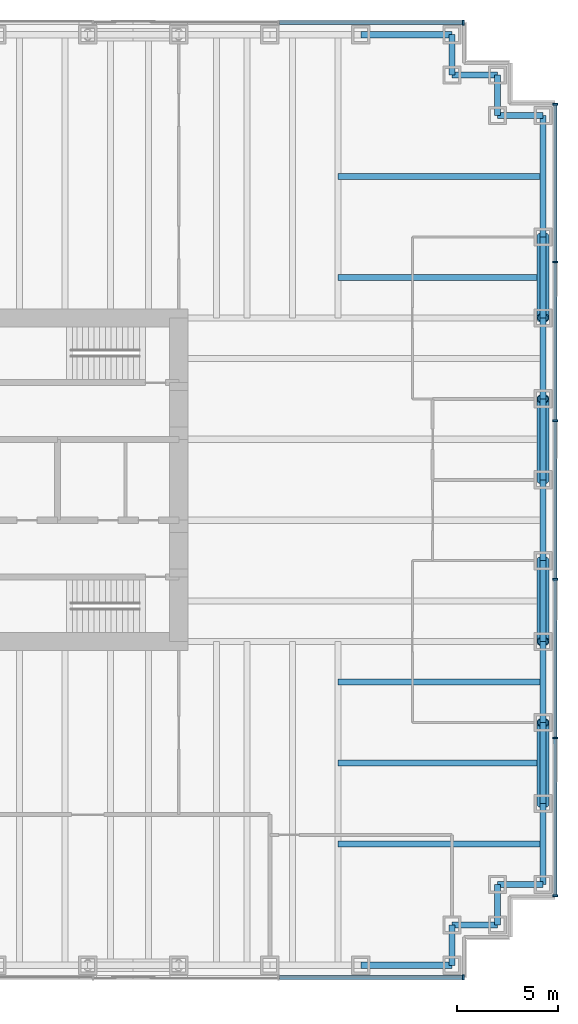
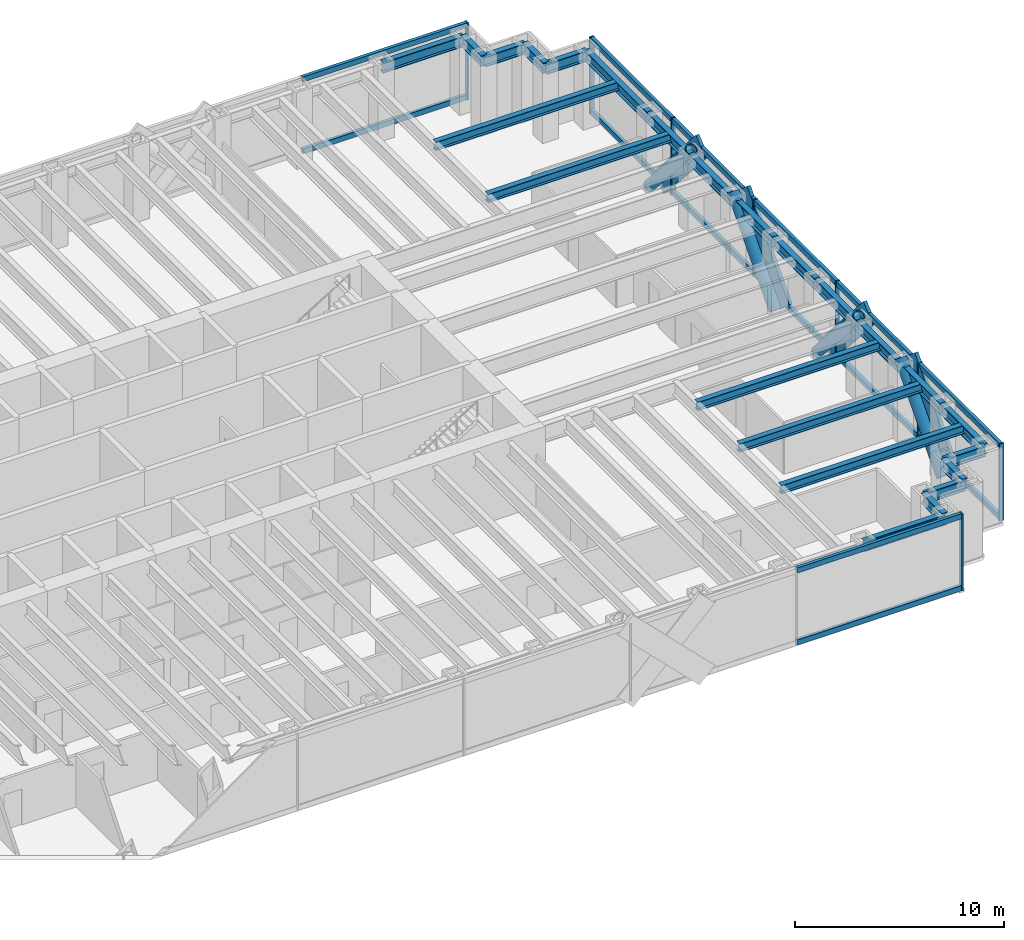
# One storey, part 7 of 13: 30 members, 24 beams, 3 elements without a shape of their own.
"""IFC4 building model written with IfcOpenShell, lengths in metres."""

from ifc_helpers import new_model, si_unit, direction, frame, origin, origin_2d, place, context, subcontext, project, spatial, rectangle, hollow_circle, i_section, extrude, material, material_profile, profile_set, type_object, element, aggregate, save


model = new_model("IFC4")

# Units and contexts
model_context = context("Model", 3, precision=1e-05, world=origin(), true_north=direction((0.0, 1.0)))
body_context = subcontext(model_context, "Body", "Model", "MODEL_VIEW")
ifc_project = project(units=[si_unit("LENGTHUNIT", "METRE"), si_unit("AREAUNIT", "SQUARE_METRE"), si_unit("VOLUMEUNIT", "CUBIC_METRE"), si_unit("PLANEANGLEUNIT", "RADIAN"), si_unit("MASSUNIT", "GRAM", prefix="KILO")], contexts=[model_context])

# Site, building, storey
site_placement = place(None, origin())
site = spatial("IfcSite", under=ifc_project, at=site_placement, CompositionType="ELEMENT")
building_placement = place(site_placement, origin())
building = spatial("IfcBuilding", under=site, at=building_placement, Name="Rheinbord Bourse Tower", CompositionType="ELEMENT")
storey_placement = place(building_placement, frame((0.0, 0.0, 45.5)))
storey = spatial("IfcBuildingStorey", under=building, at=storey_placement, Name="L09", CompositionType="ELEMENT", Elevation=45.5)

# Curtain wall, members
ifc_material_1 = material(Name="Dark glass and black aluminium", Category="aluminium")
curtain_wall_type = type_object("IfcCurtainWallType", Name="CW1 DARK GLASS CURTAIN WALL", PredefinedType="USERDEFINED", material=ifc_material_1)
curtain_wall_1_placement = place(storey_placement, origin())
curtain_wall_1 = element("IfcCurtainWall", 1, at=curtain_wall_1_placement, inside=storey, type_object=curtain_wall_type, Name="Curtain wall CW1 E L09", ObjectType="UNITISED CURTAIN WALL", PredefinedType="USERDEFINED")
ifc_material_2 = material(Name="Black anodised aluminium", Category="aluminium")
ifc_material_profile_1 = material_profile(ifc_material_2, rectangle(XDim=0.179931640625, YDim=1.2099609375, at=origin_2d()), Name="CW1 DIAGONAL MULLION 1210x180")
ifc_profile_set_1 = profile_set([ifc_material_profile_1], Name="Black anodised aluminium")
member_type_1 = type_object("IfcMemberType", Name="CW1 BLACK DIAGONAL MULLION", PredefinedType="USERDEFINED", material=ifc_profile_set_1)
member_1_placement = place(storey_placement, frame((72.60009765625, 36.0, 0.0), z_axis=(0.0, -0.66436383883, 0.747409318684), x_axis=(1.0, 0.0, 0.0)))
member_1 = element("IfcMember", 2, at=member_1_placement, type_object=member_type_1, Name="CW1 diagonal mullion a", ObjectType="DIAGONAL MULLION", PredefinedType="USERDEFINED", context=body_context, shape_type="SweptSolid", body=[
    extrude(rectangle(XDim=0.179931640625, YDim=1.2099609375, at=origin_2d()), origin(), (0.0, 0.0, 1.0), 6.020751953125),
])
member_2_placement = place(storey_placement, frame((72.60009765625, 8.0, 0.0), z_axis=(0.0, 0.66436383883, 0.747409318684), x_axis=(-1.0, 0.0, 0.0)))
member_2 = element("IfcMember", 3, at=member_2_placement, type_object=member_type_1, Name="CW1 diagonal mullion b", ObjectType="DIAGONAL MULLION", PredefinedType="USERDEFINED", context=body_context, shape_type="SweptSolid", body=[
    extrude(rectangle(XDim=0.179931640625, YDim=1.2099609375, at=origin_2d()), origin(), (0.0, 0.0, 1.0), 6.020751953125),
])
member_3_placement = place(storey_placement, frame((72.60009765625, 20.0, 0.0), z_axis=(0.0, -0.66436383883, 0.747409318684), x_axis=(1.0, 0.0, 0.0)))
member_3 = element("IfcMember", 4, at=member_3_placement, type_object=member_type_1, Name="CW1 diagonal mullion c", ObjectType="DIAGONAL MULLION", PredefinedType="USERDEFINED", context=body_context, shape_type="SweptSolid", body=[
    extrude(rectangle(XDim=0.179931640625, YDim=1.2099609375, at=origin_2d()), origin(), (0.0, 0.0, 1.0), 6.020751953125),
])
member_4_placement = place(storey_placement, frame((72.60009765625, 24.0, 0.0), z_axis=(0.0, 0.66436383883, 0.747409318684), x_axis=(-1.0, 0.0, 0.0)))
member_4 = element("IfcMember", 5, at=member_4_placement, type_object=member_type_1, Name="CW1 diagonal mullion d", ObjectType="DIAGONAL MULLION", PredefinedType="USERDEFINED", context=body_context, shape_type="SweptSolid", body=[
    extrude(rectangle(XDim=0.179931640625, YDim=1.2099609375, at=origin_2d()), origin(), (0.0, 0.0, 1.0), 6.020751953125),
])

# Curtain wall, member
curtain_wall_2_placement = place(storey_placement, origin())
curtain_wall_2 = element("IfcCurtainWall", 6, at=curtain_wall_2_placement, inside=storey, type_object=curtain_wall_type, Name="Curtain wall CW1 S L09", ObjectType="UNITISED CURTAIN WALL", PredefinedType="USERDEFINED")
ifc_material_3 = material(Name="Black anodised aluminium", Category="aluminium")
ifc_material_profile_2 = material_profile(ifc_material_3, rectangle(XDim=0.25, YDim=0.080078125, at=origin_2d()), Name="CW1 MULLION 80x250")
ifc_profile_set_2 = profile_set([ifc_material_profile_2], Name="Black anodised aluminium")
member_type_2 = type_object("IfcMemberType", Name="CW1 BLACK MULLION", PredefinedType="MULLION", material=ifc_profile_set_2)
member_5_placement = place(storey_placement, frame((68.06005859375, -0.60009765625, 0.0), z_axis=(0.0, 0.0, 1.0), x_axis=(0.0, 1.0, 0.0)))
member_5 = element("IfcMember", 7, at=member_5_placement, type_object=member_type_2, Name="CW1 mullion 8", PredefinedType="MULLION", context=body_context, shape_type="SweptSolid", body=[
    extrude(rectangle(XDim=0.25, YDim=0.080078125, at=origin_2d()), origin(), (0.0, 0.0, 1.0), 4.5),
])

# Member
member_6_placement = place(storey_placement, frame((72.60009765625, 3.43994140625, 0.0), z_axis=(0.0, 0.0, 1.0), x_axis=(-1.0, 0.0, 0.0)))
member_6 = element("IfcMember", 8, at=member_6_placement, type_object=member_type_2, Name="CW1 mullion 1", PredefinedType="MULLION", context=body_context, shape_type="SweptSolid", body=[
    extrude(rectangle(XDim=0.25, YDim=0.080078125, at=origin_2d()), origin(), (0.0, 0.0, 1.0), 4.5),
])

member_7_placement = place(storey_placement, frame((72.60009765625, 11.239990234375, 0.0), z_axis=(0.0, 0.0, 1.0), x_axis=(-1.0, 0.0, 0.0)))
member_7 = element("IfcMember", 9, at=member_7_placement, type_object=member_type_2, Name="CW1 mullion 2", PredefinedType="MULLION", context=body_context, shape_type="SweptSolid", body=[
    extrude(rectangle(XDim=0.25, YDim=0.080078125, at=origin_2d()), origin(), (0.0, 0.0, 1.0), 4.5),
])

member_8_placement = place(storey_placement, frame((72.60009765625, 19.080078125, 0.0), z_axis=(0.0, 0.0, 1.0), x_axis=(-1.0, 0.0, 0.0)))
member_8 = element("IfcMember", 10, at=member_8_placement, type_object=member_type_2, Name="CW1 mullion 3", PredefinedType="MULLION", context=body_context, shape_type="SweptSolid", body=[
    extrude(rectangle(XDim=0.25, YDim=0.080078125, at=origin_2d()), origin(), (0.0, 0.0, 1.0), 4.5),
])

member_9_placement = place(storey_placement, frame((72.60009765625, 26.919921875, 0.0), z_axis=(0.0, 0.0, 1.0), x_axis=(-1.0, 0.0, 0.0)))
member_9 = element("IfcMember", 11, at=member_9_placement, type_object=member_type_2, Name="CW1 mullion 4", PredefinedType="MULLION", context=body_context, shape_type="SweptSolid", body=[
    extrude(rectangle(XDim=0.25, YDim=0.080078125, at=origin_2d()), origin(), (0.0, 0.0, 1.0), 4.5),
])

member_10_placement = place(storey_placement, frame((72.60009765625, 34.760009765625, 0.0), z_axis=(0.0, 0.0, 1.0), x_axis=(-1.0, 0.0, 0.0)))
member_10 = element("IfcMember", 12, at=member_10_placement, type_object=member_type_2, Name="CW1 mullion 5", PredefinedType="MULLION", context=body_context, shape_type="SweptSolid", body=[
    extrude(rectangle(XDim=0.25, YDim=0.080078125, at=origin_2d()), origin(), (0.0, 0.0, 1.0), 4.5),
])

member_11_placement = place(storey_placement, frame((72.60009765625, 42.56005859375, 0.0), z_axis=(0.0, 0.0, 1.0), x_axis=(-1.0, 0.0, 0.0)))
member_11 = element("IfcMember", 13, at=member_11_placement, type_object=member_type_2, Name="CW1 mullion 6", PredefinedType="MULLION", context=body_context, shape_type="SweptSolid", body=[
    extrude(rectangle(XDim=0.25, YDim=0.080078125, at=origin_2d()), origin(), (0.0, 0.0, 1.0), 4.5),
])

# Curtain wall, member
curtain_wall_3_placement = place(storey_placement, origin())
curtain_wall_3 = element("IfcCurtainWall", 14, at=curtain_wall_3_placement, inside=storey, type_object=curtain_wall_type, Name="Curtain wall CW1 N L09", ObjectType="UNITISED CURTAIN WALL", PredefinedType="USERDEFINED")
member_12_placement = place(storey_placement, frame((68.06005859375, 46.60009765625, 0.0), z_axis=(0.0, 0.0, 1.0), x_axis=(0.0, -1.0, 0.0)))
member_12 = element("IfcMember", 15, at=member_12_placement, type_object=member_type_2, Name="CW1 mullion 1", PredefinedType="MULLION", context=body_context, shape_type="SweptSolid", body=[
    extrude(rectangle(XDim=0.25, YDim=0.080078125, at=origin_2d()), origin(), (0.0, 0.0, 1.0), 4.5),
])

# Member
ifc_material_4 = material(Name="Black anodised aluminium", Category="aluminium")
ifc_material_profile_3 = material_profile(ifc_material_4, rectangle(XDim=0.179931640625, YDim=0.300048828125, at=origin_2d()), Name="CW1 TRANSOM 300x180")
ifc_profile_set_3 = profile_set([ifc_material_profile_3], Name="Black anodised aluminium")
member_type_3 = type_object("IfcMemberType", Name="CW1 BLACK TRANSOM", PredefinedType="USERDEFINED", material=ifc_profile_set_3)
member_13_placement = place(storey_placement, frame((58.968505859375, -0.60009765625, 0.14990234375), z_axis=(1.0, 0.0, 0.0), x_axis=(0.0, 1.0, 0.0)))
member_13 = element("IfcMember", 16, at=member_13_placement, type_object=member_type_3, Name="CW1 transom 7.1", ObjectType="TRANSOM", PredefinedType="USERDEFINED", context=body_context, shape_type="SweptSolid", body=[
    extrude(rectangle(XDim=0.179931640625, YDim=0.300048828125, at=origin_2d()), origin(), (0.0, 0.0, 1.0), 9.051513671875),
])

member_14_placement = place(storey_placement, frame((58.968505859375, -0.60009765625, 4.35009765625), z_axis=(1.0, 0.0, 0.0), x_axis=(0.0, 1.0, 0.0)))
member_14 = element("IfcMember", 17, at=member_14_placement, type_object=member_type_3, Name="CW1 transom 7.2", ObjectType="TRANSOM", PredefinedType="USERDEFINED", context=body_context, shape_type="SweptSolid", body=[
    extrude(rectangle(XDim=0.179931640625, YDim=0.300048828125, at=origin_2d()), origin(), (0.0, 0.0, 1.0), 9.051513671875),
])

aggregate(curtain_wall_2, [member_5, member_13, member_14])

member_15_placement = place(storey_placement, frame((72.60009765625, 3.47998046875, 0.14990234375), z_axis=(0.0, 1.0, 0.0), x_axis=(-1.0, 0.0, 0.0)))
member_15 = element("IfcMember", 18, at=member_15_placement, type_object=member_type_3, Name="CW1 transom 1.1", ObjectType="TRANSOM", PredefinedType="USERDEFINED", context=body_context, shape_type="SweptSolid", body=[
    extrude(rectangle(XDim=0.179931640625, YDim=0.300048828125, at=origin_2d()), origin(), (0.0, 0.0, 1.0), 7.719970703125),
])

member_16_placement = place(storey_placement, frame((72.60009765625, 3.47998046875, 4.35009765625), z_axis=(0.0, 1.0, 0.0), x_axis=(-1.0, 0.0, 0.0)))
member_16 = element("IfcMember", 19, at=member_16_placement, type_object=member_type_3, Name="CW1 transom 1.2", ObjectType="TRANSOM", PredefinedType="USERDEFINED", context=body_context, shape_type="SweptSolid", body=[
    extrude(rectangle(XDim=0.179931640625, YDim=0.300048828125, at=origin_2d()), origin(), (0.0, 0.0, 1.0), 7.719970703125),
])

member_17_placement = place(storey_placement, frame((72.60009765625, 11.280029296875, 0.14990234375), z_axis=(0.0, 1.0, 0.0), x_axis=(-1.0, 0.0, 0.0)))
member_17 = element("IfcMember", 20, at=member_17_placement, type_object=member_type_3, Name="CW1 transom 2.1", ObjectType="TRANSOM", PredefinedType="USERDEFINED", context=body_context, shape_type="SweptSolid", body=[
    extrude(rectangle(XDim=0.179931640625, YDim=0.300048828125, at=origin_2d()), origin(), (0.0, 0.0, 1.0), 7.760009765625),
])

member_18_placement = place(storey_placement, frame((72.60009765625, 11.280029296875, 4.35009765625), z_axis=(0.0, 1.0, 0.0), x_axis=(-1.0, 0.0, 0.0)))
member_18 = element("IfcMember", 21, at=member_18_placement, type_object=member_type_3, Name="CW1 transom 2.2", ObjectType="TRANSOM", PredefinedType="USERDEFINED", context=body_context, shape_type="SweptSolid", body=[
    extrude(rectangle(XDim=0.179931640625, YDim=0.300048828125, at=origin_2d()), origin(), (0.0, 0.0, 1.0), 7.760009765625),
])

member_19_placement = place(storey_placement, frame((72.60009765625, 19.1201171875, 0.14990234375), z_axis=(0.0, 1.0, 0.0), x_axis=(-1.0, 0.0, 0.0)))
member_19 = element("IfcMember", 22, at=member_19_placement, type_object=member_type_3, Name="CW1 transom 3.1", ObjectType="TRANSOM", PredefinedType="USERDEFINED", context=body_context, shape_type="SweptSolid", body=[
    extrude(rectangle(XDim=0.179931640625, YDim=0.300048828125, at=origin_2d()), origin(), (0.0, 0.0, 1.0), 7.759765625),
])

member_20_placement = place(storey_placement, frame((72.60009765625, 19.1201171875, 4.35009765625), z_axis=(0.0, 1.0, 0.0), x_axis=(-1.0, 0.0, 0.0)))
member_20 = element("IfcMember", 23, at=member_20_placement, type_object=member_type_3, Name="CW1 transom 3.2", ObjectType="TRANSOM", PredefinedType="USERDEFINED", context=body_context, shape_type="SweptSolid", body=[
    extrude(rectangle(XDim=0.179931640625, YDim=0.300048828125, at=origin_2d()), origin(), (0.0, 0.0, 1.0), 7.759765625),
])

member_21_placement = place(storey_placement, frame((72.60009765625, 26.9599609375, 0.14990234375), z_axis=(0.0, 1.0, 0.0), x_axis=(-1.0, 0.0, 0.0)))
member_21 = element("IfcMember", 24, at=member_21_placement, type_object=member_type_3, Name="CW1 transom 4.1", ObjectType="TRANSOM", PredefinedType="USERDEFINED", context=body_context, shape_type="SweptSolid", body=[
    extrude(rectangle(XDim=0.179931640625, YDim=0.300048828125, at=origin_2d()), origin(), (0.0, 0.0, 1.0), 7.760009765625),
])

member_22_placement = place(storey_placement, frame((72.60009765625, 26.9599609375, 4.35009765625), z_axis=(0.0, 1.0, 0.0), x_axis=(-1.0, 0.0, 0.0)))
member_22 = element("IfcMember", 25, at=member_22_placement, type_object=member_type_3, Name="CW1 transom 4.2", ObjectType="TRANSOM", PredefinedType="USERDEFINED", context=body_context, shape_type="SweptSolid", body=[
    extrude(rectangle(XDim=0.179931640625, YDim=0.300048828125, at=origin_2d()), origin(), (0.0, 0.0, 1.0), 7.760009765625),
])

member_23_placement = place(storey_placement, frame((72.60009765625, 34.800048828125, 0.14990234375), z_axis=(0.0, 1.0, 0.0), x_axis=(-1.0, 0.0, 0.0)))
member_23 = element("IfcMember", 26, at=member_23_placement, type_object=member_type_3, Name="CW1 transom 5.1", ObjectType="TRANSOM", PredefinedType="USERDEFINED", context=body_context, shape_type="SweptSolid", body=[
    extrude(rectangle(XDim=0.179931640625, YDim=0.300048828125, at=origin_2d()), origin(), (0.0, 0.0, 1.0), 7.719970703125),
])

member_24_placement = place(storey_placement, frame((72.60009765625, 34.800048828125, 4.35009765625), z_axis=(0.0, 1.0, 0.0), x_axis=(-1.0, 0.0, 0.0)))
member_24 = element("IfcMember", 27, at=member_24_placement, type_object=member_type_3, Name="CW1 transom 5.2", ObjectType="TRANSOM", PredefinedType="USERDEFINED", context=body_context, shape_type="SweptSolid", body=[
    extrude(rectangle(XDim=0.179931640625, YDim=0.300048828125, at=origin_2d()), origin(), (0.0, 0.0, 1.0), 7.719970703125),
])

aggregate(curtain_wall_1, [member_6, member_7, member_8, member_9, member_10, member_11, member_15, member_16, member_17, member_18, member_19, member_20, member_21, member_22, member_23, member_24, member_1, member_2, member_3, member_4])

member_25_placement = place(storey_placement, frame((68.02001953125, 46.60009765625, 0.14990234375), z_axis=(-1.0, 0.0, 0.0), x_axis=(0.0, -1.0, 0.0)))
member_25 = element("IfcMember", 28, at=member_25_placement, type_object=member_type_3, Name="CW1 transom 1.1", ObjectType="TRANSOM", PredefinedType="USERDEFINED", context=body_context, shape_type="SweptSolid", body=[
    extrude(rectangle(XDim=0.179931640625, YDim=0.300048828125, at=origin_2d()), origin(), (0.0, 0.0, 1.0), 9.051513671875),
])

member_26_placement = place(storey_placement, frame((68.02001953125, 46.60009765625, 4.35009765625), z_axis=(-1.0, 0.0, 0.0), x_axis=(0.0, -1.0, 0.0)))
member_26 = element("IfcMember", 29, at=member_26_placement, type_object=member_type_3, Name="CW1 transom 1.2", ObjectType="TRANSOM", PredefinedType="USERDEFINED", context=body_context, shape_type="SweptSolid", body=[
    extrude(rectangle(XDim=0.179931640625, YDim=0.300048828125, at=origin_2d()), origin(), (0.0, 0.0, 1.0), 9.051513671875),
])

aggregate(curtain_wall_3, [member_12, member_25, member_26])

# Members
ifc_material_5 = material(Name="Steel S460", Category="steel")
ifc_material_profile_4 = material_profile(ifc_material_5, hollow_circle(Radius=0.304931640625, WallThickness=0.050048828125, at=origin_2d()), Name="CHS 610x50")
ifc_profile_set_4 = profile_set([ifc_material_profile_4], Name="Steel S460")
member_type_4 = type_object("IfcMemberType", Name="MEGABRACE CHS 610x50", PredefinedType="BRACE", material=ifc_profile_set_4)
for number, where, z_axis, x_axis, name in (
    (30, (72.0, 36.0, 0.0), (0.0, -0.66436383883, 0.747409318684), (1.0, 0.0, 0.0), "Megabrace E face line a L09"),
    (31, (72.0, 8.0, 0.0), (0.0, 0.66436383883, 0.747409318684), (-1.0, 0.0, 0.0), "Megabrace E face line b L09"),
    (32, (72.0, 20.0, 0.0), (0.0, -0.66436383883, 0.747409318684), (1.0, 0.0, 0.0), "Megabrace E face line c L09"),
    (33, (72.0, 24.0, 0.0), (0.0, 0.66436383883, 0.747409318684), (-1.0, 0.0, 0.0), "Megabrace E face line d L09"),
):
    element("IfcMember", number, at=place(storey_placement, frame(where, z_axis=z_axis, x_axis=x_axis)), inside=storey, type_object=member_type_4, Name=name, PredefinedType="BRACE", context=body_context, shape_type="SweptSolid", body=[
        extrude(hollow_circle(Radius=0.304931640625, WallThickness=0.050048828125, at=origin_2d()), origin(), (0.0, 0.0, 1.0), 6.020751953125),
    ])

# Beams
ifc_material_6 = material(Name="Steel S460", Category="steel")
ifc_material_profile_5 = material_profile(ifc_material_6, i_section(OverallWidth=0.304931640625, OverallDepth=0.6201171875, WebThickness=0.02099609375, FlangeThickness=0.0400390625, at=origin_2d()), Name="HEM 600")
ifc_profile_set_5 = profile_set([ifc_material_profile_5], Name="Steel S460")
beam_type_1 = type_object("IfcBeamType", Name="SPANDREL HEM 600", PredefinedType="SPANDREL", material=ifc_profile_set_5)
beam_1_placement = place(storey_placement, frame((63.0, 0.0, 4.010009765625), z_axis=(1.0, 0.0, 0.0), x_axis=(0.0, 1.0, 0.0)))
element("IfcBeam", 34, at=beam_1_placement, inside=storey, type_object=beam_type_1, Name="Spandrel S-63-SE-E under L10", PredefinedType="SPANDREL", context=body_context, shape_type="SweptSolid", body=[
    extrude(i_section(OverallWidth=0.304931640625, OverallDepth=0.6201171875, WebThickness=0.02099609375, FlangeThickness=0.0400390625, at=origin_2d()), origin(), (0.0, 0.0, 1.0), 4.5),
])
beam_2_placement = place(storey_placement, frame((67.5, 0.0, 4.010009765625), z_axis=(0.0, 1.0, 0.0), x_axis=(-1.0, 0.0, 0.0)))
element("IfcBeam", 35, at=beam_2_placement, inside=storey, type_object=beam_type_1, Name="Spandrel SE-E-SE-D under L10", PredefinedType="SPANDREL", context=body_context, shape_type="SweptSolid", body=[
    extrude(i_section(OverallWidth=0.304931640625, OverallDepth=0.6201171875, WebThickness=0.02099609375, FlangeThickness=0.0400390625, at=origin_2d()), origin(), (0.0, 0.0, 1.0), 2.0),
])
beam_3_placement = place(storey_placement, frame((67.5, 2.0, 4.010009765625), z_axis=(1.0, 0.0, 0.0), x_axis=(0.0, 1.0, 0.0)))
element("IfcBeam", 36, at=beam_3_placement, inside=storey, type_object=beam_type_1, Name="Spandrel SE-D-SE-C under L10", PredefinedType="SPANDREL", context=body_context, shape_type="SweptSolid", body=[
    extrude(i_section(OverallWidth=0.304931640625, OverallDepth=0.6201171875, WebThickness=0.02099609375, FlangeThickness=0.0400390625, at=origin_2d()), origin(), (0.0, 0.0, 1.0), 2.25),
])
beam_4_placement = place(storey_placement, frame((69.75, 2.0, 4.010009765625), z_axis=(0.0, 1.0, 0.0), x_axis=(-1.0, 0.0, 0.0)))
element("IfcBeam", 37, at=beam_4_placement, inside=storey, type_object=beam_type_1, Name="Spandrel SE-C-SE-B under L10", PredefinedType="SPANDREL", context=body_context, shape_type="SweptSolid", body=[
    extrude(i_section(OverallWidth=0.304931640625, OverallDepth=0.6201171875, WebThickness=0.02099609375, FlangeThickness=0.0400390625, at=origin_2d()), origin(), (0.0, 0.0, 1.0), 2.0),
])
beam_5_placement = place(storey_placement, frame((69.75, 4.0, 4.010009765625), z_axis=(1.0, 0.0, 0.0), x_axis=(0.0, 1.0, 0.0)))
element("IfcBeam", 38, at=beam_5_placement, inside=storey, type_object=beam_type_1, Name="Spandrel SE-B-SE-A under L10", PredefinedType="SPANDREL", context=body_context, shape_type="SweptSolid", body=[
    extrude(i_section(OverallWidth=0.304931640625, OverallDepth=0.6201171875, WebThickness=0.02099609375, FlangeThickness=0.0400390625, at=origin_2d()), origin(), (0.0, 0.0, 1.0), 2.25),
])
for number, where, z_axis, x_axis, name in (
    (39, (72.0, 4.0, 4.010009765625), (0.0, 1.0, 0.0), (-1.0, 0.0, 0.0), "Spandrel SE-A-E-8 under L10"),
    (40, (72.0, 8.0, 4.010009765625), (0.0, 1.0, 0.0), (-1.0, 0.0, 0.0), "Spandrel E-8-E-12 under L10"),
    (41, (72.0, 12.0, 4.010009765625), (0.0, 1.0, 0.0), (-1.0, 0.0, 0.0), "Spandrel E-12-E-16 under L10"),
    (42, (72.0, 16.0, 4.010009765625), (0.0, 1.0, 0.0), (-1.0, 0.0, 0.0), "Spandrel E-16-E-20 under L10"),
    (43, (72.0, 20.0, 4.010009765625), (0.0, 1.0, 0.0), (-1.0, 0.0, 0.0), "Spandrel E-20-E-24 under L10"),
    (44, (72.0, 24.0, 4.010009765625), (0.0, 1.0, 0.0), (-1.0, 0.0, 0.0), "Spandrel E-24-E-28 under L10"),
    (45, (72.0, 28.0, 4.010009765625), (0.0, 1.0, 0.0), (-1.0, 0.0, 0.0), "Spandrel E-28-E-32 under L10"),
    (46, (72.0, 32.0, 4.010009765625), (0.0, 1.0, 0.0), (-1.0, 0.0, 0.0), "Spandrel E-32-E-36 under L10"),
):
    element("IfcBeam", number, at=place(storey_placement, frame(where, z_axis=z_axis, x_axis=x_axis)), inside=storey, type_object=beam_type_1, Name=name, PredefinedType="SPANDREL", context=body_context, shape_type="SweptSolid", body=[
        extrude(i_section(OverallWidth=0.304931640625, OverallDepth=0.6201171875, WebThickness=0.02099609375, FlangeThickness=0.0400390625, at=origin_2d()), origin(), (0.0, 0.0, 1.0), 4.0),
    ])
beam_6_placement = place(storey_placement, frame((72.0, 36.0, 4.010009765625), z_axis=(0.0, 1.0, 0.0), x_axis=(-1.0, 0.0, 0.0)))
element("IfcBeam", 47, at=beam_6_placement, inside=storey, type_object=beam_type_1, Name="Spandrel E-36-NE-A under L10", PredefinedType="SPANDREL", context=body_context, shape_type="SweptSolid", body=[
    extrude(i_section(OverallWidth=0.304931640625, OverallDepth=0.6201171875, WebThickness=0.02099609375, FlangeThickness=0.0400390625, at=origin_2d()), origin(), (0.0, 0.0, 1.0), 6.0),
])
beam_7_placement = place(storey_placement, frame((72.0, 42.0, 4.010009765625), z_axis=(-1.0, 0.0, 0.0), x_axis=(0.0, -1.0, 0.0)))
element("IfcBeam", 48, at=beam_7_placement, inside=storey, type_object=beam_type_1, Name="Spandrel NE-A-NE-B under L10", PredefinedType="SPANDREL", context=body_context, shape_type="SweptSolid", body=[
    extrude(i_section(OverallWidth=0.304931640625, OverallDepth=0.6201171875, WebThickness=0.02099609375, FlangeThickness=0.0400390625, at=origin_2d()), origin(), (0.0, 0.0, 1.0), 2.25),
])
beam_8_placement = place(storey_placement, frame((69.75, 42.0, 4.010009765625), z_axis=(0.0, 1.0, 0.0), x_axis=(-1.0, 0.0, 0.0)))
element("IfcBeam", 49, at=beam_8_placement, inside=storey, type_object=beam_type_1, Name="Spandrel NE-B-NE-C under L10", PredefinedType="SPANDREL", context=body_context, shape_type="SweptSolid", body=[
    extrude(i_section(OverallWidth=0.304931640625, OverallDepth=0.6201171875, WebThickness=0.02099609375, FlangeThickness=0.0400390625, at=origin_2d()), origin(), (0.0, 0.0, 1.0), 2.0),
])
beam_9_placement = place(storey_placement, frame((69.75, 44.0, 4.010009765625), z_axis=(-1.0, 0.0, 0.0), x_axis=(0.0, -1.0, 0.0)))
element("IfcBeam", 50, at=beam_9_placement, inside=storey, type_object=beam_type_1, Name="Spandrel NE-C-NE-D under L10", PredefinedType="SPANDREL", context=body_context, shape_type="SweptSolid", body=[
    extrude(i_section(OverallWidth=0.304931640625, OverallDepth=0.6201171875, WebThickness=0.02099609375, FlangeThickness=0.0400390625, at=origin_2d()), origin(), (0.0, 0.0, 1.0), 2.25),
])
beam_10_placement = place(storey_placement, frame((67.5, 44.0, 4.010009765625), z_axis=(0.0, 1.0, 0.0), x_axis=(-1.0, 0.0, 0.0)))
element("IfcBeam", 51, at=beam_10_placement, inside=storey, type_object=beam_type_1, Name="Spandrel NE-D-NE-E under L10", PredefinedType="SPANDREL", context=body_context, shape_type="SweptSolid", body=[
    extrude(i_section(OverallWidth=0.304931640625, OverallDepth=0.6201171875, WebThickness=0.02099609375, FlangeThickness=0.0400390625, at=origin_2d()), origin(), (0.0, 0.0, 1.0), 2.0),
])
beam_11_placement = place(storey_placement, frame((67.5, 46.0, 4.010009765625), z_axis=(-1.0, 0.0, 0.0), x_axis=(0.0, -1.0, 0.0)))
element("IfcBeam", 52, at=beam_11_placement, inside=storey, type_object=beam_type_1, Name="Spandrel NE-E-N-63 under L10", PredefinedType="SPANDREL", context=body_context, shape_type="SweptSolid", body=[
    extrude(i_section(OverallWidth=0.304931640625, OverallDepth=0.6201171875, WebThickness=0.02099609375, FlangeThickness=0.0400390625, at=origin_2d()), origin(), (0.0, 0.0, 1.0), 4.5),
])
ifc_material_7 = material(Name="Steel S460", Category="steel")
ifc_material_profile_6 = material_profile(ifc_material_7, i_section(OverallWidth=0.300048828125, OverallDepth=0.5, WebThickness=0.014404296875, FlangeThickness=0.028076171875, at=origin_2d()), Name="HEB 500")
ifc_profile_set_6 = profile_set([ifc_material_profile_6], Name="Steel S460")
beam_type_2 = type_object("IfcBeamType", Name="TIE BEAM HEB 500", PredefinedType="JOIST", material=ifc_profile_set_6)
for number, where, z_axis, x_axis, name in (
    (53, (61.875, 6.0, 4.070068359375), (1.0, 0.0, 0.0), (0.0, 1.0, 0.0), "Tie east 6 L10"),
    (54, (61.875, 10.0, 4.070068359375), (1.0, 0.0, 0.0), (0.0, 1.0, 0.0), "Tie east 10 L10"),
    (55, (61.875, 14.0, 4.070068359375), (1.0, 0.0, 0.0), (0.0, 1.0, 0.0), "Tie east 14 L10"),
    (56, (61.875, 34.0, 4.070068359375), (1.0, 0.0, 0.0), (0.0, 1.0, 0.0), "Tie east 34 L10"),
    (57, (61.875, 39.0, 4.070068359375), (1.0, 0.0, 0.0), (0.0, 1.0, 0.0), "Tie east 39 L10"),
):
    element("IfcBeam", number, at=place(storey_placement, frame(where, z_axis=z_axis, x_axis=x_axis)), inside=storey, type_object=beam_type_2, Name=name, PredefinedType="JOIST", context=body_context, shape_type="SweptSolid", body=[
        extrude(i_section(OverallWidth=0.300048828125, OverallDepth=0.5, WebThickness=0.014404296875, FlangeThickness=0.028076171875, at=origin_2d()), origin(), (0.0, 0.0, 1.0), 10.125),
    ])

save(model, "model.ifc")
